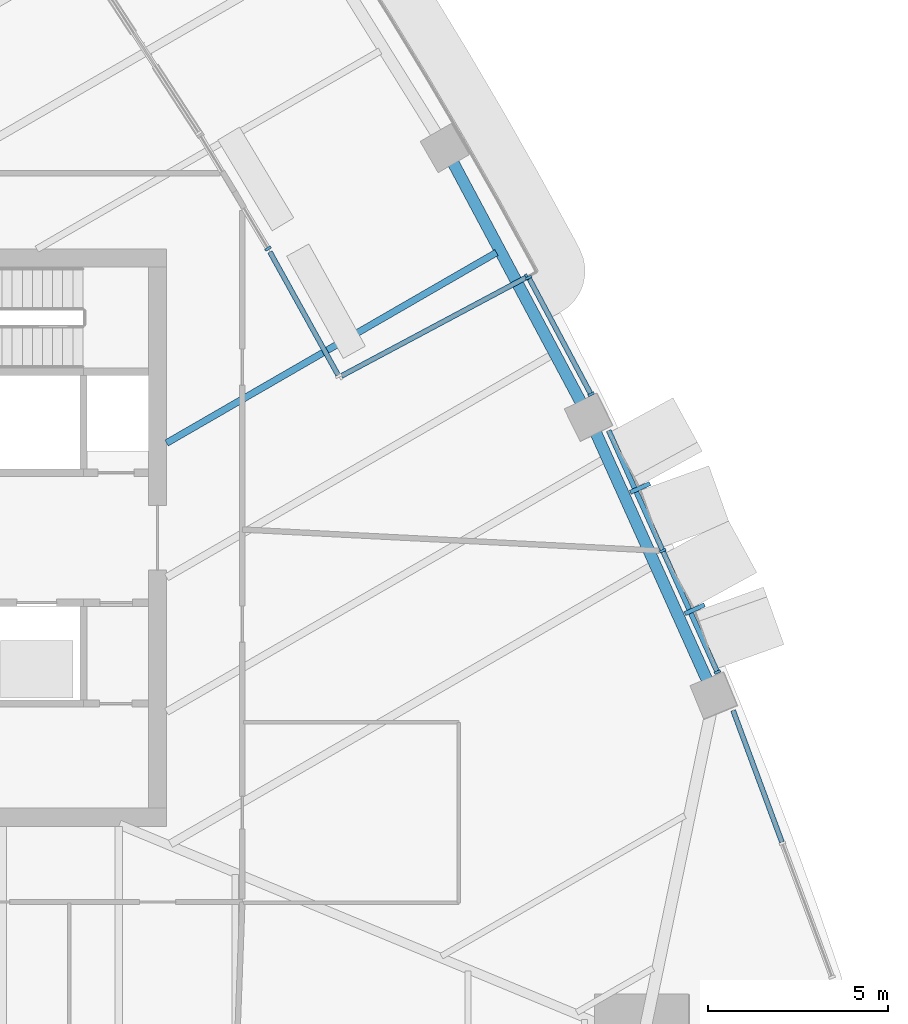
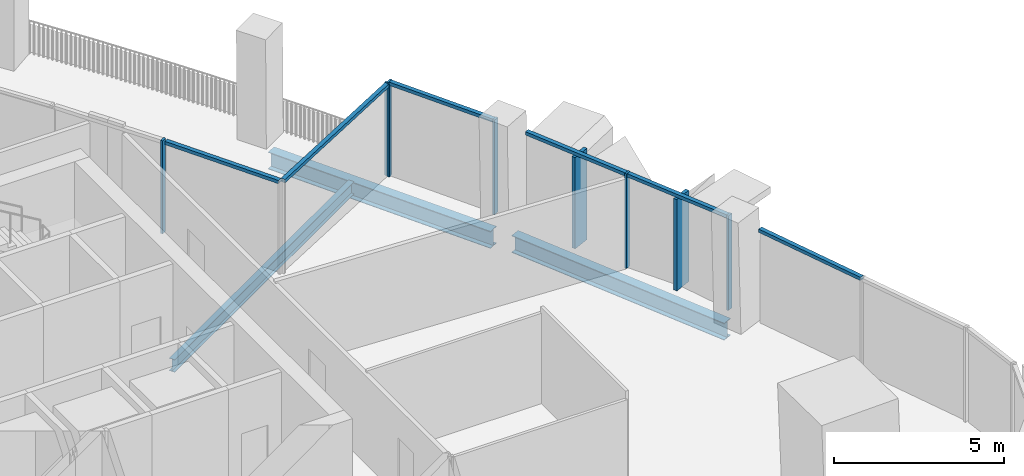
# One storey, part 5 of 21: 14 members, 3 beams, 6 elements without a shape of their own.
"""IFC4 building model written with IfcOpenShell, lengths in metres."""

import ifcopenshell
import ifcopenshell.guid

model = None  # the IFC model being written
_history = None  # IfcOwnerHistory: only IFC2X3 demands one
_inside = {}  # id of a spatial element -> (the spatial element, [elements in it])
_under = {}  # id of a project, library or spatial element -> (it, [spatial elements below it])
_declared = {}  # id of a project -> (the project, [libraries it declares])
_typed = {}  # id of a type object -> (the type object, [elements of that type])
_made_of = {}  # id of a material, layer set ... -> (it, [elements and type objects made of it])


def new_model(schema):
    """Start an empty IFC model of exactly this schema.

    Asked for "IFC4X3", IfcOpenShell would pick the latest addendum, in which some entities
    have other attributes; the version numbers below select the first issue.
    IFC2X3 requires an IfcOwnerHistory on every rooted entity: one is made here for all.
    """
    global model, _history
    if schema == "IFC4X3":
        model = ifcopenshell.file(schema_version=(4, 3, 0, 0))
    else:
        model = ifcopenshell.file(schema=schema)
    _inside.clear()
    _under.clear()
    _declared.clear()
    _typed.clear()
    _made_of.clear()
    _history = None
    if model.schema == "IFC2X3":
        org = make("IfcOrganization", Name="unknown")
        user = make(
            "IfcPersonAndOrganization",
            ThePerson=make("IfcPerson", FamilyName="unknown"),
            TheOrganization=org,
        )
        app = make(
            "IfcApplication",
            ApplicationDeveloper=org,
            Version="unknown",
            ApplicationFullName="unknown",
            ApplicationIdentifier="unknown",
        )
        _history = make(
            "IfcOwnerHistory",
            OwningUser=user,
            OwningApplication=app,
            ChangeAction="ADDED",
            CreationDate=0,
        )
    return model


def make(cls, **values):
    """One entity of the class cls with the attributes given. An attribute that is None is left unset."""
    return model.create_entity(
        cls, **{name: value for name, value in values.items() if value is not None}
    )


def rooted(cls, **values):
    """An entity with a GlobalId (a new one), such as an element, a storey or a relation."""
    return make(cls, GlobalId=ifcopenshell.guid.new(), OwnerHistory=_history, **values)


def si_unit(unit_type, name, prefix=None):
    """IfcSIUnit, for example si_unit("LENGTHUNIT", "METRE", prefix="MILLI")."""
    return make("IfcSIUnit", UnitType=unit_type, Prefix=prefix, Name=name)


def assignment(units):
    """IfcUnitAssignment: the units of a project."""
    return None if units is None else make("IfcUnitAssignment", Units=units)


def point(xyz):
    """IfcCartesianPoint."""
    return None if xyz is None else make("IfcCartesianPoint", Coordinates=xyz)


def direction(xyz):
    """IfcDirection."""
    return None if xyz is None else make("IfcDirection", DirectionRatios=xyz)


def frame(location, z_axis=None, x_axis=None):
    """IfcAxis2Placement3D, a coordinate frame: its origin and axes. An axis left out is left unset."""
    return make(
        "IfcAxis2Placement3D",
        Location=point(location),
        Axis=direction(z_axis),
        RefDirection=direction(x_axis),
    )


def frame_2d(location, x_axis=None):
    """IfcAxis2Placement2D, a coordinate frame in the plane: its origin and x axis."""
    return make(
        "IfcAxis2Placement2D", Location=point(location), RefDirection=direction(x_axis)
    )


def origin():
    """The frame at (0, 0, 0) with its axes left unset."""
    return frame((0.0, 0.0, 0.0))


def origin_2d():
    """The frame at (0, 0) in the plane with its x axis left unset."""
    return frame_2d((0.0, 0.0))


def place(relative_to, where):
    """IfcLocalPlacement: puts the frame where relative to a parent placement (None: the world)."""
    return make(
        "IfcLocalPlacement", PlacementRelTo=relative_to, RelativePlacement=where
    )


def context(
    kind, dimensions, precision=None, world=None, true_north=None, identifier=None
):
    """IfcGeometricRepresentationContext, for example the 3D "Model" context."""
    return make(
        "IfcGeometricRepresentationContext",
        ContextIdentifier=identifier,
        ContextType=kind,
        CoordinateSpaceDimension=dimensions,
        Precision=precision,
        WorldCoordinateSystem=world,
        TrueNorth=true_north,
    )


def subcontext(parent, identifier, kind, view, scale=None):
    """IfcGeometricRepresentationSubContext, for example "Body" below "Model"."""
    return make(
        "IfcGeometricRepresentationSubContext",
        ContextIdentifier=identifier,
        ContextType=kind,
        ParentContext=parent,
        TargetScale=scale,
        TargetView=view,
    )


def project(units=None, contexts=None):
    """IfcProject with its units and contexts."""
    return rooted(
        "IfcProject",
        Name="project",
        RepresentationContexts=contexts,
        UnitsInContext=assignment(units),
    )


def spatial(cls, under=None, at=None, **own):
    """A site, building, storey or space (cls), placed at a placement, below another one or the project."""
    s = rooted(cls, ObjectPlacement=at, **own)
    if under is not None:
        _under.setdefault(under.id(), (under, []))[1].append(s)
    return s


def profile(cls, at=None, kind="AREA", **sizes):
    """A parametric profile (cls). Its sizes go by their IFC names, for example OverallWidth=200.0."""
    return make(cls, ProfileType=kind, Position=at, **sizes)


def rectangle(**sizes):
    """IfcRectangleProfileDef."""
    return profile("IfcRectangleProfileDef", **sizes)


def i_section(**sizes):
    """IfcIShapeProfileDef."""
    return profile("IfcIShapeProfileDef", **sizes)


def extrude(swept, where, along, depth):
    """IfcExtrudedAreaSolid: the profile swept, set in the frame where, extruded along a direction by depth."""
    return make(
        "IfcExtrudedAreaSolid",
        SweptArea=swept,
        Position=where,
        ExtrudedDirection=direction(along),
        Depth=depth,
    )


def shape(context_of_items, identifier, shape_type, items):
    """IfcShapeRepresentation: the items that make up one representation, for example the "Body"."""
    return make(
        "IfcShapeRepresentation",
        ContextOfItems=context_of_items,
        RepresentationIdentifier=identifier,
        RepresentationType=shape_type,
        Items=items,
    )


def material(Name=None, Category=None):
    """IfcMaterial."""
    return make("IfcMaterial", Name=Name, Category=Category)


def layer(
    of_material, thickness, ventilated=None, Name=None, Category=None, Priority=None
):
    """IfcMaterialLayer: one layer of a wall or slab, of a material (None: an air gap)."""
    return make(
        "IfcMaterialLayer",
        Material=of_material,
        LayerThickness=thickness,
        IsVentilated=ventilated,
        Name=Name,
        Category=Category,
        Priority=Priority,
    )


def layer_set(layers, Name=None):
    """IfcMaterialLayerSet."""
    return make("IfcMaterialLayerSet", MaterialLayers=layers, LayerSetName=Name)


def material_profile(
    of_material, cross_section, Name=None, Category=None, Priority=None
):
    """IfcMaterialProfile: a cross section and its material."""
    return make(
        "IfcMaterialProfile",
        Name=Name,
        Material=of_material,
        Profile=cross_section,
        Priority=Priority,
        Category=Category,
    )


def profile_set(profiles, Name=None, composite=None):
    """IfcMaterialProfileSet."""
    return make(
        "IfcMaterialProfileSet",
        Name=Name,
        MaterialProfiles=profiles,
        CompositeProfile=composite,
    )


def made_of(thing, what):
    """Note that an element or type object is made of a material, layer set ...; save() writes the relation."""
    if what is not None:
        _made_of.setdefault(what.id(), (what, []))[1].append(thing)
    return thing


def type_object(cls, material=None, **own):
    """A type object (cls), such as IfcWallType, which elements share."""
    return made_of(rooted(cls, **own), material)


def element(
    cls,
    number,
    at=None,
    inside=None,
    cuts=None,
    type_object=None,
    material=None,
    context=None,
    identifier="Body",
    shape_type=None,
    held_by="IfcProductDefinitionShape",
    body=None,
    shapes=None,
    **own,
):
    """One element of the class cls, such as IfcWall. Its Tag is "e" and its number.

    at: its placement. inside: the storey or other place that contains it. cuts: it is an
    opening in that element (IfcRelVoidsElement). A single representation is given by context,
    identifier, shape_type and body (its items); several are given by shapes. held_by: the class
    of the entity that holds the representations. save() writes the other relations.
    """
    e = rooted(cls, Tag="e%d" % number, ObjectPlacement=at, **own)
    if body is not None:
        shapes = [shape(context, identifier, shape_type, body)]
    if shapes is not None:
        e.Representation = make(held_by, Representations=shapes)
    if inside is not None:
        _inside.setdefault(inside.id(), (inside, []))[1].append(e)
    if cuts is not None:
        rooted(
            "IfcRelVoidsElement", RelatingBuildingElement=cuts, RelatedOpeningElement=e
        )
    if type_object is not None:
        _typed.setdefault(type_object.id(), (type_object, []))[1].append(e)
    return made_of(e, material)


def aggregate(whole, parts):
    """IfcRelAggregates: a whole, such as a stair, and the parts it consists of."""
    return rooted("IfcRelAggregates", RelatingObject=whole, RelatedObjects=parts)


def save(model, path):
    """Write the relations noted so far, then the file.

    IfcRelAggregates (storeys below a building ...), IfcRelContainedInSpatialStructure (elements
    in a storey), IfcRelDefinesByType, IfcRelAssociatesMaterial and IfcRelDeclares: one each for
    every whole, place, type object, material and project.
    """
    for whole, parts in _under.values():
        aggregate(whole, parts)
    for where, things in _inside.values():
        rooted(
            "IfcRelContainedInSpatialStructure",
            RelatedElements=things,
            RelatingStructure=where,
        )
    for kind, things in _typed.values():
        rooted("IfcRelDefinesByType", RelatedObjects=things, RelatingType=kind)
    for what, things in _made_of.values():
        rooted("IfcRelAssociatesMaterial", RelatedObjects=things, RelatingMaterial=what)
    for by, libraries in _declared.values():
        rooted("IfcRelDeclares", RelatingContext=by, RelatedDefinitions=libraries)
    model.write(path)


model = new_model("IFC4")

# Units and contexts
model_context = context("Model", 3, precision=1e-05, world=origin(), true_north=direction((0.0, 1.0)))
body_context = subcontext(model_context, "Body", "Model", "MODEL_VIEW")
ifc_project = project(units=[si_unit("LENGTHUNIT", "METRE"), si_unit("AREAUNIT", "SQUARE_METRE"), si_unit("VOLUMEUNIT", "CUBIC_METRE"), si_unit("PLANEANGLEUNIT", "RADIAN"), si_unit("MASSUNIT", "GRAM", prefix="KILO")], contexts=[model_context])

# Site, building, storey
site_placement = place(None, origin())
site = spatial("IfcSite", under=ifc_project, at=site_placement, CompositionType="ELEMENT")
building_placement = place(site_placement, origin())
building = spatial("IfcBuilding", under=site, at=building_placement, Name="Sierra Prisma Convention Tower", CompositionType="ELEMENT")
storey_placement = place(building_placement, frame((0.0, 0.0, 157.800048828125)))
storey = spatial("IfcBuildingStorey", under=building, at=storey_placement, Name="L34", CompositionType="ELEMENT", Elevation=157.800048828125)

# Curtain wall, members
ifc_material_1 = material(Name="Aluminium and glass curtain wall", Category="aluminium")
ifc_layer_1 = layer(ifc_material_1, 0.179931640625)
ifc_layer_set_1 = layer_set([ifc_layer_1], Name="CW-2 Faceted crystal curtain wall")
curtain_wall_type_1 = type_object("IfcCurtainWallType", Name="CW-2 Faceted crystal curtain wall", PredefinedType="NOTDEFINED", material=ifc_layer_set_1)
curtain_wall_1_placement = place(storey_placement, origin())
curtain_wall_1 = element("IfcCurtainWall", 1, at=curtain_wall_1_placement, inside=storey, type_object=curtain_wall_type_1, Name="CW-2 NE2 L34", PredefinedType="NOTDEFINED")
ifc_material_2 = material(Name="Aluminium 6063-T6 bronze anodised", Category="aluminium")
ifc_material_profile_1 = material_profile(ifc_material_2, rectangle(XDim=0.1201171875, YDim=0.60009765625, at=origin_2d()), Name="ALU RIDGE BLADE 120x600")
ifc_profile_set_1 = profile_set([ifc_material_profile_1], Name="Aluminium 6063-T6 bronze anodised")
member_type_1 = type_object("IfcMemberType", Name="CW hip bronze", PredefinedType="MULLION", material=ifc_profile_set_1)
member_1_placement = place(storey_placement, frame((25.64208984375, -1.98388671875, 0.0), z_axis=(0.0, 0.0, 1.0), x_axis=(-0.410199145851, 0.911995976276, 0.0)))
member_1 = element("IfcMember", 2, at=member_1_placement, type_object=member_type_1, Name="CW-2 ridge NE2.1", PredefinedType="MULLION", context=body_context, shape_type="SweptSolid", body=[
    extrude(rectangle(XDim=0.1201171875, YDim=0.60009765625, at=origin_2d()), origin(), (0.0, 0.0, 1.0), 3.280029296875),
])
member_2_placement = place(storey_placement, frame((24.12890625, 1.380126953125, 0.0), z_axis=(0.0, 0.0, 1.0), x_axis=(-0.410199145851, 0.911995976276, 0.0)))
member_2 = element("IfcMember", 3, at=member_2_placement, type_object=member_type_1, Name="CW-2 ridge NE2.2", PredefinedType="MULLION", context=body_context, shape_type="SweptSolid", body=[
    extrude(rectangle(XDim=0.1201171875, YDim=0.60009765625, at=origin_2d()), origin(), (0.0, 0.0, 1.0), 3.280029296875),
])
ifc_material_3 = material(Name="Aluminium 6063-T6 bronze anodised", Category="aluminium")
ifc_material_profile_2 = material_profile(ifc_material_3, rectangle(XDim=0.179931640625, YDim=0.070068359375, at=origin_2d()), Name="ALU MULLION 70x180")
ifc_profile_set_2 = profile_set([ifc_material_profile_2], Name="Aluminium 6063-T6 bronze anodised")
member_type_2 = type_object("IfcMemberType", Name="CW mullion bronze", PredefinedType="MULLION", material=ifc_profile_set_2)
member_3_placement = place(storey_placement, frame((26.268798828125, -3.724609375, 0.0), z_axis=(0.0, 0.0, 1.0), x_axis=(-0.911995976276, -0.410199145851, 0.0)))
member_3 = element("IfcMember", 4, at=member_3_placement, type_object=member_type_2, Name="CW-1 mullion NE2.1", PredefinedType="MULLION", context=body_context, shape_type="SweptSolid", body=[
    extrude(rectangle(XDim=0.179931640625, YDim=0.070068359375, at=origin_2d()), origin(), (0.0, 0.0, 1.0), 3.39990234375),
])
member_4_placement = place(storey_placement, frame((24.755615234375, -0.3603515625, 0.0), z_axis=(0.0, 0.0, 1.0), x_axis=(-0.911995976276, -0.410199145851, 0.0)))
member_4 = element("IfcMember", 5, at=member_4_placement, type_object=member_type_2, Name="CW-1 mullion NE2.2", PredefinedType="MULLION", context=body_context, shape_type="SweptSolid", body=[
    extrude(rectangle(XDim=0.179931640625, YDim=0.070068359375, at=origin_2d()), origin(), (0.0, 0.0, 1.0), 3.39990234375),
])

ifc_material_4 = material(Name="Aluminium and glass curtain wall", Category="aluminium")
ifc_layer_2 = layer(ifc_material_4, 0.179931640625)
ifc_layer_set_2 = layer_set([ifc_layer_2], Name="CW-1 Plain shaft curtain wall")
curtain_wall_type_2 = type_object("IfcCurtainWallType", Name="CW-1 Plain shaft curtain wall", PredefinedType="NOTDEFINED", material=ifc_layer_set_2)
curtain_wall_2_placement = place(storey_placement, origin())
curtain_wall_2 = element("IfcCurtainWall", 6, at=curtain_wall_2_placement, inside=storey, type_object=curtain_wall_type_2, Name="CW-1 NE3 L34", PredefinedType="NOTDEFINED")
member_5_placement = place(storey_placement, frame((22.765380859375, 3.974853515625, 0.0), z_axis=(0.0, 0.0, 1.0), x_axis=(-0.88235325701, -0.470587643106, 0.0)))
member_5 = element("IfcMember", 7, at=member_5_placement, type_object=member_type_2, Name="CW-1 mullion NE3.1", PredefinedType="MULLION", context=body_context, shape_type="SweptSolid", body=[
    extrude(rectangle(XDim=0.179931640625, YDim=0.070068359375, at=origin_2d()), origin(), (0.0, 0.0, 1.0), 3.39990234375),
])
member_6_placement = place(storey_placement, frame((21.038330078125, 7.213134765625, 0.0), z_axis=(0.0, 0.0, 1.0), x_axis=(-0.88235325701, -0.470587643106, 0.0)))
member_6 = element("IfcMember", 8, at=member_6_placement, type_object=member_type_2, Name="CW-1 mullion NE3.2", PredefinedType="MULLION", context=body_context, shape_type="SweptSolid", body=[
    extrude(rectangle(XDim=0.179931640625, YDim=0.070068359375, at=origin_2d()), origin(), (0.0, 0.0, 1.0), 3.39990234375),
])

# Curtain wall, member
ifc_material_5 = material(Name="Aluminium and glass curtain wall", Category="aluminium")
ifc_layer_3 = layer(ifc_material_5, 0.179931640625)
ifc_layer_set_3 = layer_set([ifc_layer_3], Name="CW-6 Terrace recess curtain wall")
curtain_wall_type_3 = type_object("IfcCurtainWallType", Name="CW-6 Terrace recess curtain wall", PredefinedType="NOTDEFINED", material=ifc_layer_set_3)
curtain_wall_3_placement = place(storey_placement, origin())
curtain_wall_3 = element("IfcCurtainWall", 9, at=curtain_wall_3_placement, inside=storey, type_object=curtain_wall_type_3, Name="CW-6 R2 L34", PredefinedType="NOTDEFINED")
member_7_placement = place(storey_placement, frame((13.812255859375, 8.014892578125, 0.0), z_axis=(0.0, 0.0, 1.0), x_axis=(-0.858157755737, -0.513386079154, 0.0)))
member_7 = element("IfcMember", 10, at=member_7_placement, type_object=member_type_2, Name="CW-6 mullion R2.1", PredefinedType="MULLION", context=body_context, shape_type="SweptSolid", body=[
    extrude(rectangle(XDim=0.179931640625, YDim=0.070068359375, at=origin_2d()), origin(), (0.0, 0.0, 1.0), 3.33984375),
])
aggregate(curtain_wall_3, [member_7])

curtain_wall_4_placement = place(storey_placement, origin())
curtain_wall_4 = element("IfcCurtainWall", 11, at=curtain_wall_4_placement, inside=storey, type_object=curtain_wall_type_3, Name="CW-6 RT1 L34", PredefinedType="NOTDEFINED")
member_8_placement = place(storey_placement, frame((20.990966796875, 7.2275390625, 0.0), z_axis=(0.0, 0.0, 1.0), x_axis=(0.470587643106, -0.88235325701, 0.0)))
member_8 = element("IfcMember", 12, at=member_8_placement, type_object=member_type_2, Name="CW-6 mullion RT1.1", PredefinedType="MULLION", context=body_context, shape_type="SweptSolid", body=[
    extrude(rectangle(XDim=0.179931640625, YDim=0.070068359375, at=origin_2d()), origin(), (0.0, 0.0, 1.0), 3.33984375),
])

curtain_wall_5_placement = place(storey_placement, origin())
curtain_wall_5 = element("IfcCurtainWall", 13, at=curtain_wall_5_placement, inside=storey, type_object=curtain_wall_type_2, Name="CW-1 NE1 L34", PredefinedType="NOTDEFINED")
ifc_material_6 = material(Name="Aluminium 6063-T6 bronze anodised", Category="aluminium")
ifc_material_profile_3 = material_profile(ifc_material_6, rectangle(XDim=0.139892578125, YDim=0.1201171875, at=origin_2d()), Name="ALU TRANSOM 120x140")
ifc_profile_set_3 = profile_set([ifc_material_profile_3], Name="Aluminium 6063-T6 bronze anodised")
member_type_3 = type_object("IfcMemberType", Name="CW transom bronze", PredefinedType="USERDEFINED", material=ifc_profile_set_3)
member_9_placement = place(storey_placement, frame((28.05859375, -8.435302734375, 3.33984375), z_axis=(-0.347917128843, 0.937525291103, 0.0), x_axis=(-0.937525291103, -0.347917128843, 0.0)))
member_9 = element("IfcMember", 14, at=member_9_placement, type_object=member_type_3, Name="CW-1 transom NE1.2", ObjectType="TRANSOM", PredefinedType="USERDEFINED", context=body_context, shape_type="SweptSolid", body=[
    extrude(rectangle(XDim=0.139892578125, YDim=0.1201171875, at=origin_2d()), origin(), (0.0, 0.0, 1.0), 3.89111328125),
])
aggregate(curtain_wall_5, [member_9])

# Member
member_10_placement = place(storey_placement, frame((26.25439453125, -3.692626953125, 3.33984375), z_axis=(-0.410165509052, 0.912011104748, 0.0), x_axis=(-0.912011104748, -0.410165509052, 0.0)))
member_10 = element("IfcMember", 15, at=member_10_placement, type_object=member_type_3, Name="CW-1 transom NE2.1", ObjectType="TRANSOM", PredefinedType="USERDEFINED", context=body_context, shape_type="SweptSolid", body=[
    extrude(rectangle(XDim=0.139892578125, YDim=0.1201171875, at=origin_2d()), origin(), (0.0, 0.0, 1.0), 3.618896484375),
])

member_11_placement = place(storey_placement, frame((24.7412109375, -0.328369140625, 3.33984375), z_axis=(-0.410190746116, 0.911999754277, 0.0), x_axis=(-0.911999754277, -0.410190746116, 0.0)))
member_11 = element("IfcMember", 16, at=member_11_placement, type_object=member_type_3, Name="CW-1 transom NE2.2", ObjectType="TRANSOM", PredefinedType="USERDEFINED", context=body_context, shape_type="SweptSolid", body=[
    extrude(rectangle(XDim=0.139892578125, YDim=0.1201171875, at=origin_2d()), origin(), (0.0, 0.0, 1.0), 3.61865234375),
])

aggregate(curtain_wall_1, [member_3, member_4, member_10, member_1, member_11, member_2])

member_12_placement = place(storey_placement, frame((22.748779296875, 4.005859375, 3.33984375), z_axis=(-0.470605835653, 0.882343554093, 0.0), x_axis=(-0.882343554093, -0.470605835653, 0.0)))
member_12 = element("IfcMember", 17, at=member_12_placement, type_object=member_type_3, Name="CW-1 transom NE3.1", ObjectType="TRANSOM", PredefinedType="USERDEFINED", context=body_context, shape_type="SweptSolid", body=[
    extrude(rectangle(XDim=0.139892578125, YDim=0.1201171875, at=origin_2d()), origin(), (0.0, 0.0, 1.0), 3.599853515625),
])

aggregate(curtain_wall_2, [member_5, member_6, member_12])

# Curtain wall, member
curtain_wall_6_placement = place(storey_placement, origin())
curtain_wall_6 = element("IfcCurtainWall", 18, at=curtain_wall_6_placement, inside=storey, type_object=curtain_wall_type_3, Name="CW-6 R1 L34", PredefinedType="NOTDEFINED")
member_13_placement = place(storey_placement, frame((15.7529296875, 4.51318359375, 3.280029296875), z_axis=(-0.484467386493, 0.874809322895, 0.0), x_axis=(-0.874809322895, -0.484467386493, 0.0)))
member_13 = element("IfcMember", 19, at=member_13_placement, type_object=member_type_3, Name="CW-6 transom R1.1", ObjectType="TRANSOM", PredefinedType="USERDEFINED", context=body_context, shape_type="SweptSolid", body=[
    extrude(rectangle(XDim=0.139892578125, YDim=0.1201171875, at=origin_2d()), origin(), (0.0, 0.0, 1.0), 3.8984375),
])
aggregate(curtain_wall_6, [member_13])

# Member
member_14_placement = place(storey_placement, frame((20.9599609375, 7.2109375, 3.280029296875), z_axis=(-0.882359940703, -0.470575110947, 0.0), x_axis=(0.470575110947, -0.882359940703, 0.0)))
member_14 = element("IfcMember", 20, at=member_14_placement, type_object=member_type_3, Name="CW-6 transom RT1.1", ObjectType="TRANSOM", PredefinedType="USERDEFINED", context=body_context, shape_type="SweptSolid", body=[
    extrude(rectangle(XDim=0.139892578125, YDim=0.1201171875, at=origin_2d()), origin(), (0.0, 0.0, 1.0), 5.79296875),
])

aggregate(curtain_wall_4, [member_8, member_14])

# Beams
ifc_material_7 = material(Name="Steel ASTM A992 Gr 50", Category="steel")
ifc_material_profile_4 = material_profile(ifc_material_7, i_section(OverallWidth=0.18994140625, OverallDepth=0.45703125, WebThickness=0.009033203125, FlangeThickness=0.014404296875, at=origin_2d()), Name="W460x74")
ifc_profile_set_4 = profile_set([ifc_material_profile_4], Name="Steel ASTM A992 Gr 50")
beam_type_1 = type_object("IfcBeamType", Name="Floor joist W460x74", PredefinedType="JOIST", material=ifc_profile_set_4)
beam_placement = place(storey_placement, frame((20.14501953125, 7.905517578125, -0.528564453125), z_axis=(-0.866029271941, -0.499993300096, 0.0), x_axis=(0.499993300096, -0.866029271941, 0.0)))
element("IfcBeam", 21, at=beam_placement, inside=storey, type_object=beam_type_1, Name="Floor joist L34 NE07", PredefinedType="JOIST", context=body_context, shape_type="SweptSolid", body=[
    extrude(i_section(OverallWidth=0.18994140625, OverallDepth=0.45703125, WebThickness=0.009033203125, FlangeThickness=0.014404296875, at=origin_2d()), origin(), (0.0, 0.0, 1.0), 10.559814453125),
])
ifc_material_8 = material(Name="Steel ASTM A992 Gr 50", Category="steel")
ifc_material_profile_5 = material_profile(ifc_material_8, i_section(OverallWidth=0.324951171875, OverallDepth=0.615966796875, WebThickness=0.013916015625, FlangeThickness=0.021484375, at=origin_2d()), Name="W610x174")
ifc_profile_set_5 = profile_set([ifc_material_profile_5], Name="Steel ASTM A992 Gr 50")
beam_type_2 = type_object("IfcBeamType", Name="Spandrel beam W610x174", PredefinedType="BEAM", material=ifc_profile_set_5)
for number, where, z_axis, x_axis, name in (
    (22, (26.026611328125, -4.0390625, -0.4580078125), (-0.410198732297, 0.911996162285, 0.0), (-0.911996162285, -0.410198732297, 0.0), "Spandrel L34-08"),
    (23, (22.52978515625, 3.673095703125, -0.608154296875), (-0.470598098843, 0.882347680546, 0.0), (-0.882347680546, -0.470598098843, 0.0), "Spandrel L34-09"),
):
    element("IfcBeam", number, at=place(storey_placement, frame(where, z_axis=z_axis, x_axis=x_axis)), inside=storey, type_object=beam_type_2, Name=name, PredefinedType="BEAM", context=body_context, shape_type="SweptSolid", body=[
        extrude(i_section(OverallWidth=0.324951171875, OverallDepth=0.615966796875, WebThickness=0.013916015625, FlangeThickness=0.021484375, at=origin_2d()), origin(), (0.0, 0.0, 1.0), 7.708251953125),
    ])

save(model, "model.ifc")
